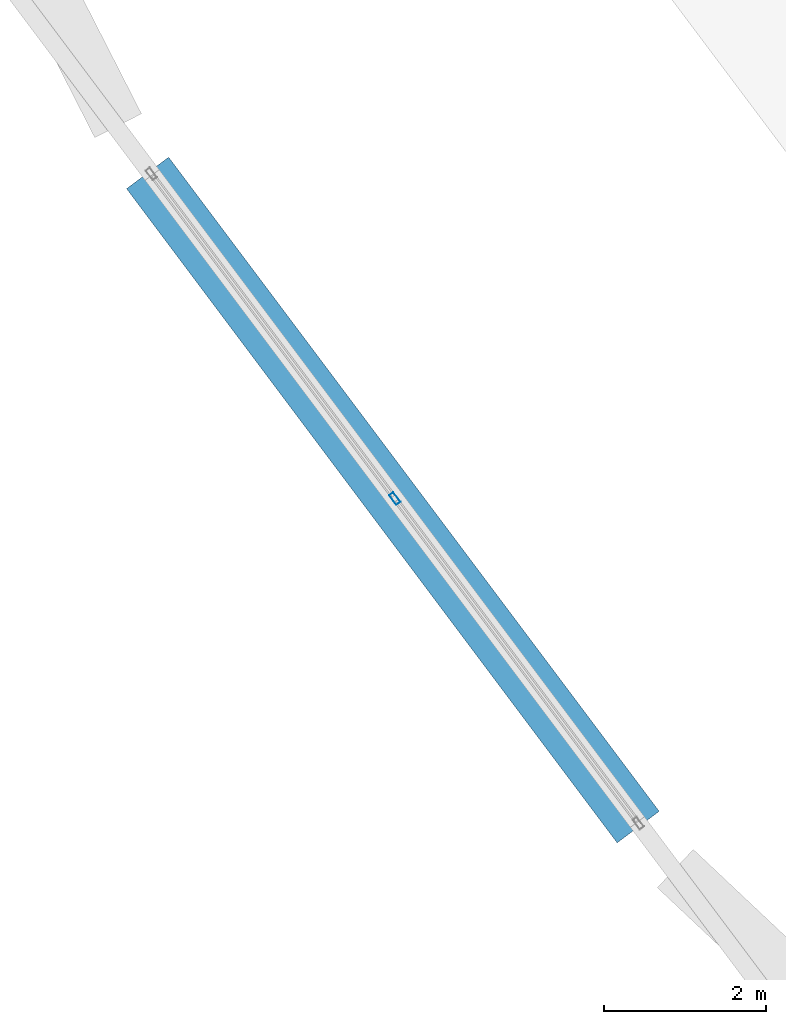
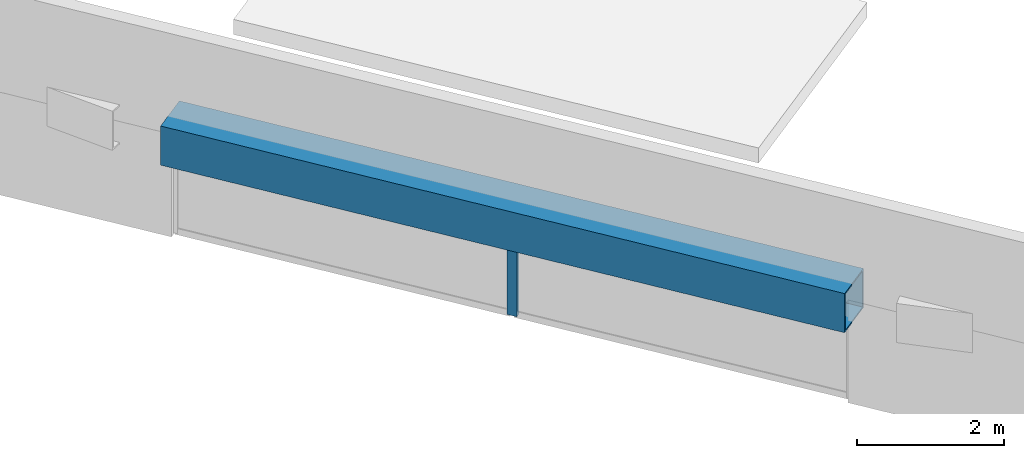
# One storey, part 17 of 31: 1 beam, 1 member, 1 element without a shape of its own.
"""IFC4 building model written with IfcOpenShell, lengths in metres."""

from ifc_helpers import new_model, si_unit, direction, frame, origin, origin_2d, place, context, subcontext, project, spatial, hollow_rectangle, extrude, material, material_profile, profile_set, type_object, element, aggregate, save


model = new_model("IFC4")

# Units and contexts
model_context = context("Model", 3, precision=1e-05, world=origin(), true_north=direction((0.0, 1.0)))
body_context = subcontext(model_context, "Body", "Model", "MODEL_VIEW")
ifc_project = project(units=[si_unit("LENGTHUNIT", "METRE"), si_unit("AREAUNIT", "SQUARE_METRE"), si_unit("VOLUMEUNIT", "CUBIC_METRE"), si_unit("PLANEANGLEUNIT", "RADIAN"), si_unit("MASSUNIT", "GRAM", prefix="KILO")], contexts=[model_context])

# Site, building, storey
site_placement = place(None, origin())
site = spatial("IfcSite", under=ifc_project, at=site_placement, CompositionType="ELEMENT")
building_placement = place(site_placement, origin())
building = spatial("IfcBuilding", under=site, at=building_placement, Name="Tashvorn Skyway Center", CompositionType="ELEMENT")
storey_placement = place(building_placement, frame((0.0, 0.0, 266.949951171875)))
storey = spatial("IfcBuildingStorey", under=building, at=storey_placement, Name="L72", CompositionType="ELEMENT", Elevation=266.949951171875)

# Beam
ifc_material_1 = material(Name="Steel ASTM A572 Grade 50", Category="steel")
ifc_material_profile_1 = material_profile(ifc_material_1, hollow_rectangle(XDim=0.64990234375, YDim=0.64990234375, WallThickness=0.02490234375, at=origin_2d()), Name="BOX650x650x25")
ifc_profile_set_1 = profile_set([ifc_material_profile_1], Name="Steel ASTM A572 Grade 50")
beam_type = type_object("IfcBeamType", Name="BM-BEAM-BOX650x650x25", PredefinedType="BEAM", material=ifc_profile_set_1)
beam_placement = place(storey_placement, frame((99.886962890625, 27.73388671875, 3.08349609375), z_axis=(0.6, -0.8, 0.0), x_axis=(0.8, 0.6, 0.0)))
element("IfcBeam", 1, at=beam_placement, inside=storey, type_object=beam_type, Name="CROWN FRAME Tower 2 Upper-Tier Ring Beam 11", PredefinedType="BEAM", context=body_context, shape_type="SweptSolid", body=[
    extrude(hollow_rectangle(XDim=0.64990234375, YDim=0.64990234375, WallThickness=0.02490234375, at=origin_2d()), origin(), (0.0, 0.0, 1.0), 10.10986328125),
])

# Curtain wall, member
ifc_material_2 = material(Name="Thermally broken bronze-anodized aluminium 6063-T6", Category="aluminium")
curtain_wall_type = type_object("IfcCurtainWallType", Name="CW-CW-SKY", PredefinedType="NOTDEFINED", material=ifc_material_2)
curtain_wall_placement = place(storey_placement, origin())
curtain_wall = element("IfcCurtainWall", 2, at=curtain_wall_placement, inside=storey, type_object=curtain_wall_type, Name="CROWN Lantern Fritted Curtain Wall T2 W-4", PredefinedType="NOTDEFINED")
ifc_material_profile_2 = material_profile(ifc_material_2, hollow_rectangle(XDim=0.06494140625, YDim=0.14990234375, WallThickness=0.00390625, at=origin_2d()), Name="ALU-MULL-65x150")
ifc_profile_set_2 = profile_set([ifc_material_profile_2], Name="Thermally broken bronze-anodized aluminium 6063-T6")
member_type = type_object("IfcMemberType", Name="CWM-CW-SKY", PredefinedType="MULLION", material=ifc_profile_set_2)
member_placement = place(storey_placement, frame((102.944091796875, 23.7080078125, 1.445068359375), z_axis=(0.0, 0.0, 1.0), x_axis=(-0.799999999998, -0.600000000002, 0.0)))
member = element("IfcMember", 3, at=member_placement, type_object=member_type, Name="CW-SKY mullion 2", PredefinedType="MULLION", context=body_context, shape_type="SweptSolid", body=[
    extrude(hollow_rectangle(XDim=0.06494140625, YDim=0.14990234375, WallThickness=0.00390625, at=origin_2d()), origin(), (0.0, 0.0, 1.0), 1.6650390625),
])
aggregate(curtain_wall, [member])

save(model, "model.ifc")
